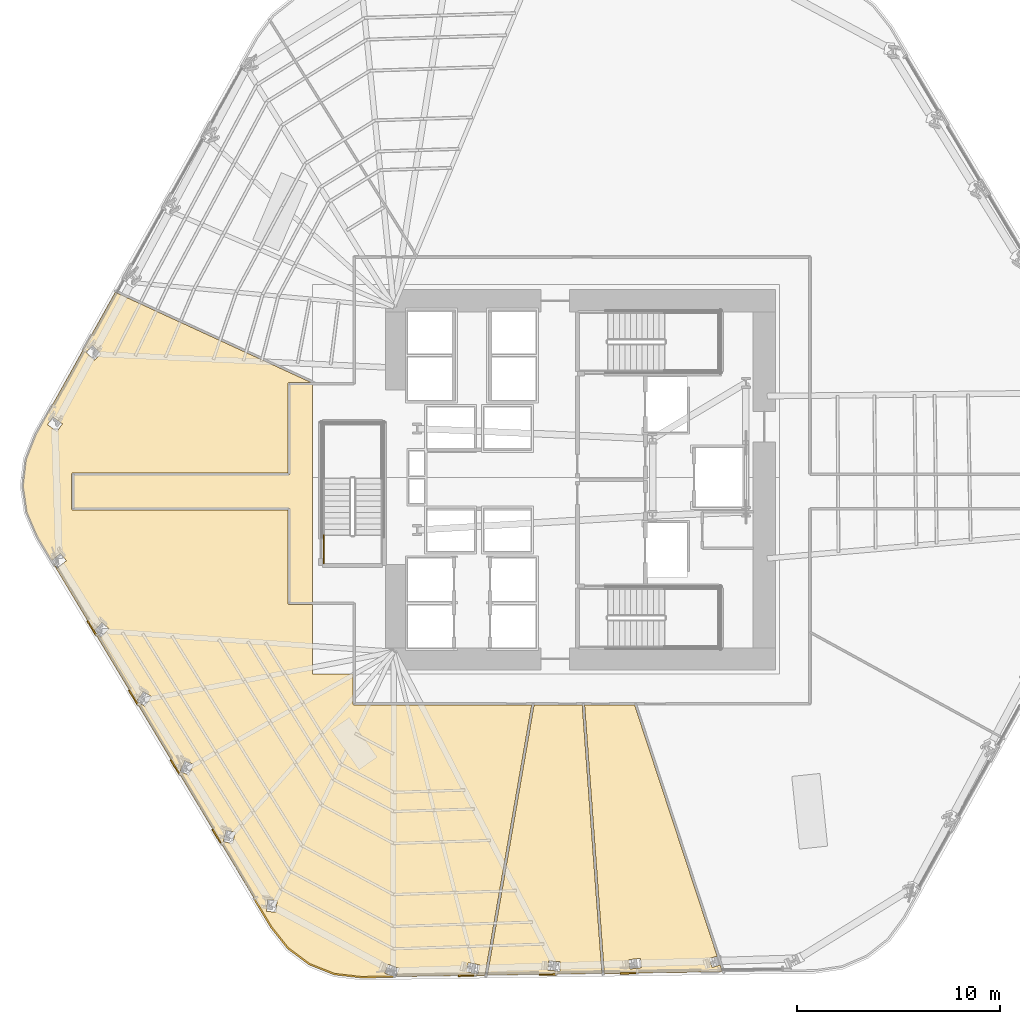
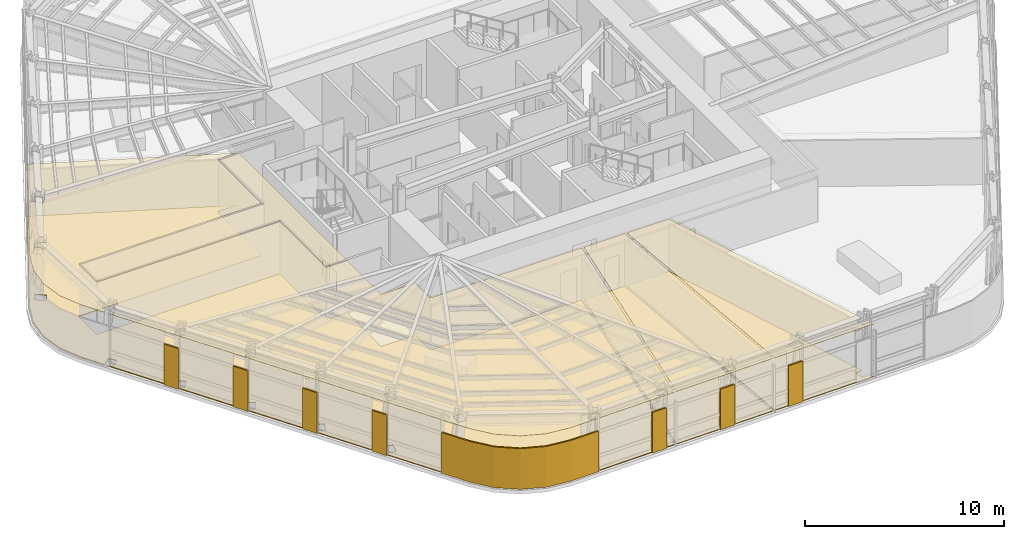
# One storey, part 10 of 15: 15 coverings, 1 railing.
"""IFC4 building model written with IfcOpenShell, lengths in metres."""

from ifc_helpers import new_model, si_unit, direction, frame, origin, origin_2d, place, context, subcontext, project, spatial, polyline, circle, outline, extrude, material, layer, layer_set, type_object, element, save


model = new_model("IFC4")

# Units and contexts
model_context = context("Model", 3, precision=1e-05, world=origin(), true_north=direction((0.0, 1.0)))
body_context = subcontext(model_context, "Body", "Model", "MODEL_VIEW")
ifc_project = project(units=[si_unit("LENGTHUNIT", "METRE"), si_unit("AREAUNIT", "SQUARE_METRE"), si_unit("VOLUMEUNIT", "CUBIC_METRE"), si_unit("PLANEANGLEUNIT", "RADIAN"), si_unit("MASSUNIT", "GRAM", prefix="KILO")], contexts=[model_context])

# Site, building, storey
site_placement = place(None, origin())
site = spatial("IfcSite", under=ifc_project, at=site_placement, CompositionType="ELEMENT")
building_placement = place(site_placement, origin())
building = spatial("IfcBuilding", under=site, at=building_placement, Name="Valkerne Bourse Tower", CompositionType="ELEMENT")
storey_placement = place(building_placement, frame((0.0, 0.0, 27.800048828125)))
storey = spatial("IfcBuildingStorey", under=building, at=storey_placement, Name="L06", CompositionType="ELEMENT", Elevation=27.800048828125)

# Coverings
ifc_material_1 = material(Name="Mineral Fiber Acoustic Ceiling Tile", Category="acoustic")
ifc_layer_1 = layer(ifc_material_1, 0.02490234375)
ifc_layer_set_1 = layer_set([ifc_layer_1], Name="Mineral Fiber Acoustic Ceiling Tile")
covering_type_1 = type_object("IfcCoveringType", Name="COV-CEIL-ACT", PredefinedType="CEILING", material=ifc_layer_set_1)
covering_1_placement = place(storey_placement, frame((0.0, 0.0, 3.22998046875)))
element("IfcCovering", 1, at=covering_1_placement, inside=storey, type_object=covering_type_1, Name="L06 Suspended Ceiling 03", PredefinedType="CEILING", context=body_context, shape_type="SweptSolid", body=[
    extrude(outline(polyline([(46.8837890625, 15.781005859375), (47.85546875, 2.5517578125), (42.21240234375, 2.46826171875), (44.511962890625, 15.781005859375), (46.8837890625, 15.781005859375)]), holes=[polyline([(45.8017578125, 3.138671875), (45.798095703125, 3.138916015625), (45.224609375, 3.163818359375), (45.204345703125, 2.70166015625), (45.2080078125, 2.701416015625), (45.781494140625, 2.676513671875), (45.8017578125, 3.138671875)])]), origin(), (0.0, 0.0, 1.0), 0.02490234375),
])
covering_2_placement = place(storey_placement, frame((0.0, 0.0, 3.22998046875)))
element("IfcCovering", 2, at=covering_2_placement, inside=storey, type_object=covering_type_1, Name="L06 Suspended Ceiling 04", PredefinedType="CEILING", context=body_context, shape_type="SweptSolid", body=[
    extrude(outline(polyline([(49.46484375, 15.781005859375), (53.533447265625, 3.40625), (53.1494140625, 3.294189453125), (53.27880859375, 2.85009765625), (53.282470703125, 2.85107421875), (53.677978515625, 2.96630859375), (53.785400390625, 2.6396484375), (47.9736328125, 2.553466796875), (47.002197265625, 15.781005859375), (49.46484375, 15.781005859375)]), holes=[polyline([(49.2421875, 2.772216796875), (49.81201171875, 2.84228515625), (49.755615234375, 3.301513671875), (49.752197265625, 3.301025390625), (49.182373046875, 3.23095703125), (49.23876953125, 2.771728515625), (49.2421875, 2.772216796875)])]), origin(), (0.0, 0.0, 1.0), 0.02490234375),
])
covering_3_placement = place(storey_placement, frame((0.0, 0.0, 3.22998046875)))
element("IfcCovering", 3, at=covering_3_placement, inside=storey, type_object=covering_type_1, Name="L06 Suspended Ceiling 07", PredefinedType="CEILING", context=body_context, shape_type="SweptSolid", body=[
    extrude(outline(polyline([(33.449951171875, 3.0146484375), (32.390625, 3.801513671875), (31.56494140625, 4.843017578125), (20.794921875, 22.802001953125), (21.027587890625, 22.52294921875), (21.4716796875, 22.8896484375), (21.47119140625, 22.893310546875), (21.17626953125, 23.247314453125), (20.742431640625, 22.889404296875), (20.05029296875, 24.043212890625), (19.522705078125, 25.26318359375), (19.329833984375, 26.568603515625), (19.4814453125, 27.87939453125), (19.970703125, 29.114990234375), (23.87548828125, 36.115966796875), (33.53173828125, 31.6689453125), (32.446533203125, 31.6689453125), (32.408203125, 31.6552734375), (32.383056640625, 31.617431640625), (32.381103515625, 27.218994140625), (21.7890625, 27.21826171875), (21.748291015625, 27.196044921875), (21.73095703125, 27.150634765625), (21.73095703125, 25.44970703125), (21.7373046875, 25.4208984375), (21.75341796875, 25.39892578125), (21.79931640625, 25.381103515625), (32.381103515625, 25.381103515625), (32.381103515625, 20.79931640625), (32.39404296875, 20.75927734375), (32.419921875, 20.73779296875), (32.449462890625, 20.73095703125), (33.60009765625, 20.73095703125), (33.60009765625, 17.300048828125), (35.5810546875, 17.300048828125), (35.5810546875, 15.849609375), (35.587890625, 15.820068359375), (35.6083984375, 15.794677734375), (35.6494140625, 15.781005859375), (44.392333984375, 15.781005859375), (42.09228515625, 2.46630859375), (37.716552734375, 2.401611328125), (37.865478515625, 2.80419921875), (37.862060546875, 2.805419921875), (37.32421875, 3.00439453125), (37.163330078125, 2.570556640625), (37.1669921875, 2.569091796875), (37.623779296875, 2.400146484375), (35.9970703125, 2.376220703125), (34.677001953125, 2.52880859375), (33.449951171875, 3.0146484375)]), holes=[polyline([(31.84619140625, 6.1484375), (31.38720703125, 6.188720703125), (31.333984375, 5.614990234375), (31.3369140625, 5.61279296875), (31.7958984375, 5.572509765625), (31.849365234375, 6.14599609375), (31.84619140625, 6.1484375)]), polyline([(29.785400390625, 9.50830078125), (29.33740234375, 9.61669921875), (29.19921875, 9.057373046875), (29.201904296875, 9.0546875), (29.64990234375, 8.9462890625), (29.7880859375, 9.505615234375), (29.785400390625, 9.50830078125)]), polyline([(27.722412109375, 12.8564453125), (27.72021484375, 12.859130859375), (27.29541015625, 13.038330078125), (27.069091796875, 12.508544921875), (27.0712890625, 12.505615234375), (27.49609375, 12.326416015625), (27.722412109375, 12.8564453125)]), polyline([(25.6484375, 16.200927734375), (25.64697265625, 16.2041015625), (25.2578125, 16.450927734375), (24.947021484375, 15.9658203125), (24.948486328125, 15.962646484375), (25.337646484375, 15.7158203125), (25.6484375, 16.200927734375)]), polyline([(23.56396484375, 19.54736328125), (23.21923828125, 19.853515625), (22.834716796875, 19.424560546875), (22.835693359375, 19.421142578125), (23.18017578125, 19.114990234375), (23.56494140625, 19.5439453125), (23.56396484375, 19.54736328125)]), polyline([(21.275146484375, 29.6357421875), (20.80322265625, 29.96630859375), (20.537109375, 29.59033203125), (20.53662109375, 29.586669921875), (21.008544921875, 29.256103515625), (21.274658203125, 29.6318359375), (21.275146484375, 29.6357421875)]), polyline([(23.169921875, 33.09423828125), (23.1708984375, 33.09765625), (22.753662109375, 33.4951171875), (22.434326171875, 33.162841796875), (22.433349609375, 33.159423828125), (22.8505859375, 32.761962890625), (23.169921875, 33.09423828125)]), polyline([(41.835205078125, 2.97216796875), (41.273193359375, 3.089111328125), (41.178955078125, 2.635986328125), (41.182373046875, 2.63525390625), (41.744384765625, 2.518310546875), (41.838623046875, 2.971435546875), (41.835205078125, 2.97216796875)])]), origin(), (0.0, 0.0, 1.0), 0.02490234375),
])
ifc_material_2 = material(Name="Bronze Anodised Aluminium AA 6063-T6", Category="aluminium")
ifc_layer_2 = layer(ifc_material_2, 0.030029296875)
ifc_layer_set_2 = layer_set([ifc_layer_2], Name="Bronze Anodised Aluminium AA 6063-T6")
covering_type_2 = type_object("IfcCoveringType", Name="COV-CEIL-METAL", PredefinedType="CEILING", material=ifc_layer_set_2)
covering_4_placement = place(storey_placement, frame((0.0, 0.0, 3.22998046875)))
element("IfcCovering", 4, at=covering_4_placement, inside=storey, type_object=covering_type_2, Name="L06 Suspended Ceiling 02", PredefinedType="CEILING", context=body_context, shape_type="SweptSolid", body=[
    extrude(outline(polyline([(32.4541015625, 20.803955078125), (32.4541015625, 25.4541015625), (21.803955078125, 25.4541015625), (21.803955078125, 27.14599609375), (32.4541015625, 27.14599609375), (32.4541015625, 31.595947265625), (33.60009765625, 31.595947265625), (33.60009765625, 20.803955078125), (32.4541015625, 20.803955078125)])), origin(), (0.0, 0.0, 1.0), 0.02490234375),
])
ifc_layer_3 = layer(ifc_material_2, 0.06005859375)
ifc_layer_set_3 = layer_set([ifc_layer_3], Name="Bronze Anodised Aluminium AA 6063-T6")
covering_type_3 = type_object("IfcCoveringType", Name="COV-CRN-ALUM", PredefinedType="CLADDING", material=ifc_layer_set_3)
covering_5_placement = place(storey_placement, origin())
element("IfcCovering", 5, at=covering_5_placement, inside=storey, type_object=covering_type_3, Name="L06 Wind-Shaped Corner Aluminium Cladding 03", PredefinedType="CLADDING", context=body_context, shape_type="SweptSolid", body=[
    extrude(outline(polyline([(48.7626953125, 2.521240234375), (48.761474609375, 2.601318359375), (49.601318359375, 2.613525390625), (49.6025390625, 2.53369140625), (48.7626953125, 2.521240234375)])), origin(), (0.0, 0.0, 1.0), 2.5),
])
covering_6_placement = place(storey_placement, origin())
element("IfcCovering", 6, at=covering_6_placement, inside=storey, type_object=covering_type_3, Name="L06 Wind-Shaped Corner Aluminium Cladding 04", PredefinedType="CLADDING", context=body_context, shape_type="SweptSolid", body=[
    extrude(outline(polyline([(44.76708984375, 2.4619140625), (44.765869140625, 2.5419921875), (45.605712890625, 2.554443359375), (45.607177734375, 2.474365234375), (44.76708984375, 2.4619140625)])), origin(), (0.0, 0.0, 1.0), 2.5),
])
covering_7_placement = place(storey_placement, origin())
element("IfcCovering", 7, at=covering_7_placement, inside=storey, type_object=covering_type_3, Name="L06 Wind-Shaped Corner Aluminium Cladding 05", PredefinedType="CLADDING", context=body_context, shape_type="SweptSolid", body=[
    extrude(outline(polyline([(40.771484375, 2.40283203125), (40.770263671875, 2.48291015625), (41.6103515625, 2.495361328125), (41.611572265625, 2.415283203125), (40.771484375, 2.40283203125)])), origin(), (0.0, 0.0, 1.0), 2.5),
])
covering_8_placement = place(storey_placement, origin())
element("IfcCovering", 8, at=covering_8_placement, inside=storey, type_object=covering_type_3, Name="L06 Wind-Shaped Corner Aluminium Cladding 06", PredefinedType="CLADDING", context=body_context, shape_type="SweptSolid", body=[
    extrude(outline(polyline([(35.994873046875, 2.33203125), (34.666015625, 2.48583984375), (33.428466796875, 2.975830078125), (32.359619140625, 3.76953125), (31.52880859375, 4.818115234375), (30.69482421875, 6.208251953125), (30.763671875, 6.24951171875), (31.594482421875, 4.863525390625), (32.415771484375, 3.827392578125), (33.467529296875, 3.04638671875), (34.685791015625, 2.564208984375), (35.998779296875, 2.412109375), (37.61474609375, 2.43603515625), (37.615966796875, 2.356201171875), (35.994873046875, 2.33203125)])), origin(), (0.0, 0.0, 1.0), 2.5),
])
covering_9_placement = place(storey_placement, origin())
element("IfcCovering", 9, at=covering_9_placement, inside=storey, type_object=covering_type_3, Name="L06 Wind-Shaped Corner Aluminium Cladding 07", PredefinedType="CLADDING", context=body_context, shape_type="SweptSolid", body=[
    extrude(outline(polyline([(28.639892578125, 9.63525390625), (28.70849609375, 9.67626953125), (29.140380859375, 8.9560546875), (29.07177734375, 8.914794921875), (28.639892578125, 9.63525390625)])), origin(), (0.0, 0.0, 1.0), 2.5),
])
covering_10_placement = place(storey_placement, origin())
element("IfcCovering", 10, at=covering_10_placement, inside=storey, type_object=covering_type_3, Name="L06 Wind-Shaped Corner Aluminium Cladding 08", PredefinedType="CLADDING", context=body_context, shape_type="SweptSolid", body=[
    extrude(outline(polyline([(26.58447265625, 13.062255859375), (26.6533203125, 13.103515625), (27.085205078125, 12.383056640625), (27.0166015625, 12.341796875), (26.58447265625, 13.062255859375)])), origin(), (0.0, 0.0, 1.0), 2.5),
])
covering_11_placement = place(storey_placement, origin())
element("IfcCovering", 11, at=covering_11_placement, inside=storey, type_object=covering_type_3, Name="L06 Wind-Shaped Corner Aluminium Cladding 09", PredefinedType="CLADDING", context=body_context, shape_type="SweptSolid", body=[
    extrude(outline(polyline([(24.529296875, 16.4892578125), (24.597900390625, 16.5302734375), (25.030029296875, 15.81005859375), (24.96142578125, 15.768798828125), (24.529296875, 16.4892578125)])), origin(), (0.0, 0.0, 1.0), 2.5),
])
covering_12_placement = place(storey_placement, origin())
element("IfcCovering", 12, at=covering_12_placement, inside=storey, type_object=covering_type_3, Name="L06 Wind-Shaped Corner Aluminium Cladding 10", PredefinedType="CLADDING", context=body_context, shape_type="SweptSolid", body=[
    extrude(outline(polyline([(22.47412109375, 19.916259765625), (22.542724609375, 19.957275390625), (22.974853515625, 19.23681640625), (22.90625, 19.19580078125), (22.47412109375, 19.916259765625)])), origin(), (0.0, 0.0, 1.0), 2.5),
])
ifc_material_3 = material(Name="Galvanised Painted Steel", Category="steel")
ifc_layer_4 = layer(ifc_material_3, 0.044921875)
ifc_layer_set_4 = layer_set([ifc_layer_4], Name="Galvanised Painted Steel")
covering_type_4 = type_object("IfcCoveringType", Name="COV-FLR-RAF", PredefinedType="FLOORING", material=ifc_layer_set_4)
covering_13_placement = place(storey_placement, origin())
element("IfcCovering", 13, at=covering_13_placement, inside=storey, type_object=covering_type_4, Name="L06 Floor Finish 07", PredefinedType="FLOORING", context=body_context, shape_type="SweptSolid", body=[
    extrude(outline(polyline([(33.449951171875, 3.0146484375), (32.390625, 3.801513671875), (31.56494140625, 4.843017578125), (20.794921875, 22.802001953125), (21.027587890625, 22.52294921875), (21.4716796875, 22.8896484375), (21.47119140625, 22.893310546875), (21.17626953125, 23.247314453125), (20.742431640625, 22.889404296875), (20.05029296875, 24.043212890625), (19.522705078125, 25.26318359375), (19.329833984375, 26.568603515625), (19.4814453125, 27.87939453125), (19.970703125, 29.114990234375), (23.87548828125, 36.115966796875), (33.53173828125, 31.6689453125), (32.446533203125, 31.6689453125), (32.408203125, 31.6552734375), (32.383056640625, 31.617431640625), (32.381103515625, 27.218994140625), (21.7890625, 27.21826171875), (21.748291015625, 27.196044921875), (21.73095703125, 27.150634765625), (21.73095703125, 25.44970703125), (21.7373046875, 25.4208984375), (21.75341796875, 25.39892578125), (21.79931640625, 25.381103515625), (32.381103515625, 25.381103515625), (32.381103515625, 20.79931640625), (32.39404296875, 20.75927734375), (32.419921875, 20.73779296875), (32.449462890625, 20.73095703125), (33.60009765625, 20.73095703125), (33.60009765625, 17.300048828125), (35.5810546875, 17.300048828125), (35.5810546875, 15.849609375), (35.587890625, 15.820068359375), (35.6083984375, 15.794677734375), (35.6494140625, 15.781005859375), (44.392333984375, 15.781005859375), (42.09228515625, 2.46630859375), (37.716552734375, 2.401611328125), (37.865478515625, 2.80419921875), (37.862060546875, 2.805419921875), (37.32421875, 3.00439453125), (37.163330078125, 2.570556640625), (37.1669921875, 2.569091796875), (37.623779296875, 2.400146484375), (35.9970703125, 2.376220703125), (34.677001953125, 2.52880859375), (33.449951171875, 3.0146484375)]), holes=[polyline([(31.84619140625, 6.1484375), (31.38720703125, 6.188720703125), (31.333984375, 5.614990234375), (31.3369140625, 5.61279296875), (31.7958984375, 5.572509765625), (31.849365234375, 6.14599609375), (31.84619140625, 6.1484375)]), polyline([(29.785400390625, 9.50830078125), (29.33740234375, 9.61669921875), (29.19921875, 9.057373046875), (29.201904296875, 9.0546875), (29.64990234375, 8.9462890625), (29.7880859375, 9.505615234375), (29.785400390625, 9.50830078125)]), polyline([(27.722412109375, 12.8564453125), (27.72021484375, 12.859130859375), (27.29541015625, 13.038330078125), (27.069091796875, 12.508544921875), (27.0712890625, 12.505615234375), (27.49609375, 12.326416015625), (27.722412109375, 12.8564453125)]), polyline([(25.6484375, 16.200927734375), (25.64697265625, 16.2041015625), (25.2578125, 16.450927734375), (24.947021484375, 15.9658203125), (24.948486328125, 15.962646484375), (25.337646484375, 15.7158203125), (25.6484375, 16.200927734375)]), polyline([(23.56396484375, 19.54736328125), (23.21923828125, 19.853515625), (22.834716796875, 19.424560546875), (22.835693359375, 19.421142578125), (23.18017578125, 19.114990234375), (23.56494140625, 19.5439453125), (23.56396484375, 19.54736328125)]), polyline([(21.275146484375, 29.6357421875), (20.80322265625, 29.96630859375), (20.537109375, 29.59033203125), (20.53662109375, 29.586669921875), (21.008544921875, 29.256103515625), (21.274658203125, 29.6318359375), (21.275146484375, 29.6357421875)]), polyline([(23.169921875, 33.09423828125), (23.1708984375, 33.09765625), (22.753662109375, 33.4951171875), (22.434326171875, 33.162841796875), (22.433349609375, 33.159423828125), (22.8505859375, 32.761962890625), (23.169921875, 33.09423828125)]), polyline([(41.835205078125, 2.97216796875), (41.273193359375, 3.089111328125), (41.178955078125, 2.635986328125), (41.182373046875, 2.63525390625), (41.744384765625, 2.518310546875), (41.838623046875, 2.971435546875), (41.835205078125, 2.97216796875)])]), origin(), (0.0, 0.0, 1.0), 0.044921875),
])
ifc_material_4 = material(Name="Polished Granite Stone", Category="masonry")
ifc_layer_5 = layer(ifc_material_4, 0.030029296875)
ifc_layer_set_5 = layer_set([ifc_layer_5], Name="Polished Granite Stone")
covering_type_5 = type_object("IfcCoveringType", Name="COV-FLR-TERRAZZO", PredefinedType="FLOORING", material=ifc_layer_set_5)
covering_14_placement = place(storey_placement, origin())
element("IfcCovering", 14, at=covering_14_placement, inside=storey, type_object=covering_type_5, Name="L06 Floor Finish 03", PredefinedType="FLOORING", context=body_context, shape_type="SweptSolid", body=[
    extrude(outline(polyline([(46.8837890625, 15.781005859375), (47.85546875, 2.5517578125), (42.21240234375, 2.46826171875), (44.511962890625, 15.781005859375), (46.8837890625, 15.781005859375)]), holes=[polyline([(45.8017578125, 3.138671875), (45.798095703125, 3.138916015625), (45.224609375, 3.163818359375), (45.204345703125, 2.70166015625), (45.2080078125, 2.701416015625), (45.781494140625, 2.676513671875), (45.8017578125, 3.138671875)])]), origin(), (0.0, 0.0, 1.0), 0.030029296875),
])
covering_15_placement = place(storey_placement, origin())
element("IfcCovering", 15, at=covering_15_placement, inside=storey, type_object=covering_type_5, Name="L06 Floor Finish 04", PredefinedType="FLOORING", context=body_context, shape_type="SweptSolid", body=[
    extrude(outline(polyline([(49.46484375, 15.781005859375), (53.533447265625, 3.40625), (53.1494140625, 3.294189453125), (53.27880859375, 2.85009765625), (53.282470703125, 2.85107421875), (53.677978515625, 2.96630859375), (53.785400390625, 2.6396484375), (47.9736328125, 2.553466796875), (47.002197265625, 15.781005859375), (49.46484375, 15.781005859375)]), holes=[polyline([(49.2421875, 2.772216796875), (49.81201171875, 2.84228515625), (49.755615234375, 3.301513671875), (49.752197265625, 3.301025390625), (49.182373046875, 3.23095703125), (49.23876953125, 2.771728515625), (49.2421875, 2.772216796875)])]), origin(), (0.0, 0.0, 1.0), 0.030029296875),
])

# Railing
railing_type = type_object("IfcRailingType", Name="RLG-ST-GUARD-1120", PredefinedType="GUARDRAIL", material=ifc_material_3)
railing_placement = place(storey_placement, frame((34.14990234375, 22.75, 0.0)))
element("IfcRailing", 16, at=railing_placement, inside=storey, type_object=railing_type, Name="L06 ST-3 stair guard 9", PredefinedType="GUARDRAIL", context=body_context, shape_type="SweptSolid", body=[
    extrude(circle(Radius=0.02392578125, at=origin_2d()), frame((0.0, 0.0, 1.09619140625), z_axis=(0.0, 1.0, 0.0), x_axis=(-1.0, 0.0, 0.0)), (0.0, 0.0, 1.0), 1.39990234375),
    extrude(circle(Radius=0.02099609375, at=origin_2d()), origin(), (0.0, 0.0, 1.0), 1.072021484375),
    extrude(circle(Radius=0.02099609375, at=origin_2d()), frame((0.0, 0.699951171875, 0.0)), (0.0, 0.0, 1.0), 1.072021484375),
    extrude(circle(Radius=0.02099609375, at=origin_2d()), frame((0.0, 1.39990234375, 0.0)), (0.0, 0.0, 1.0), 1.072021484375),
])

save(model, "model.ifc")
